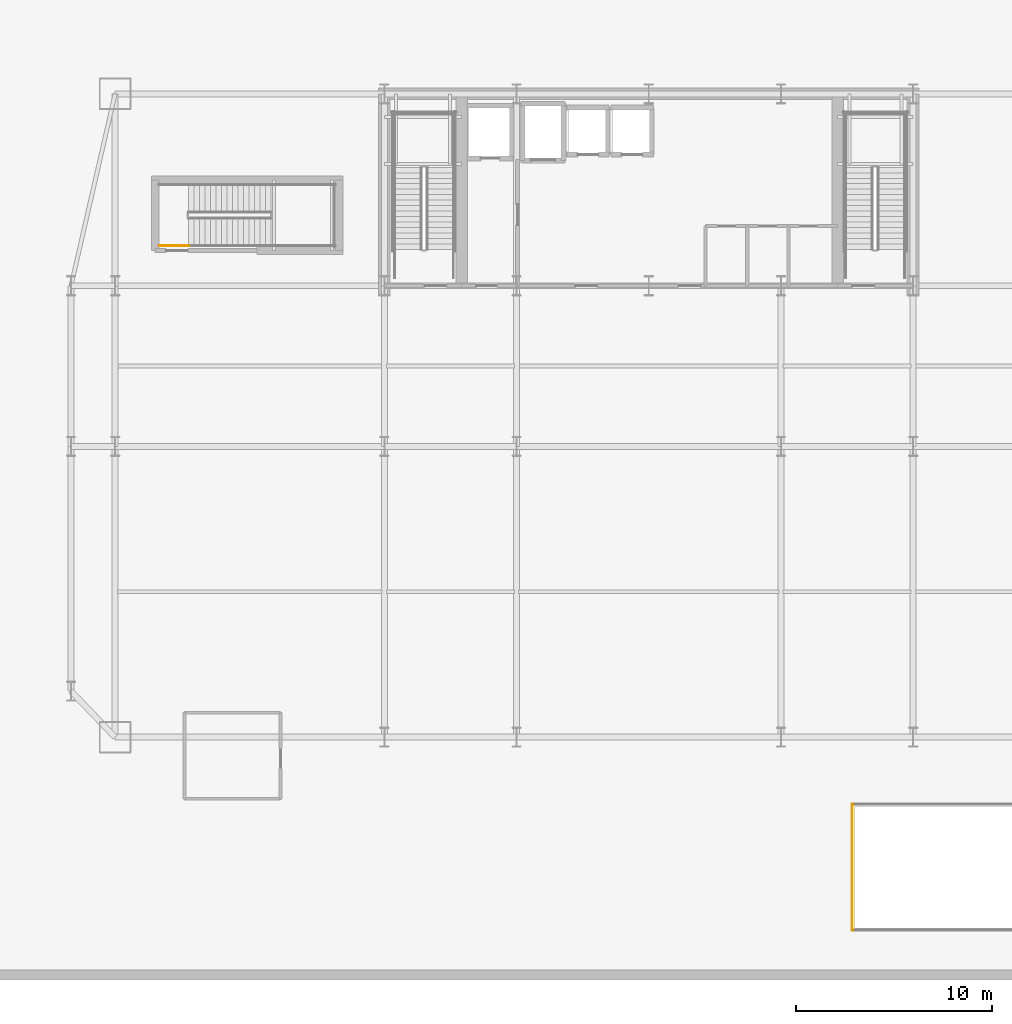
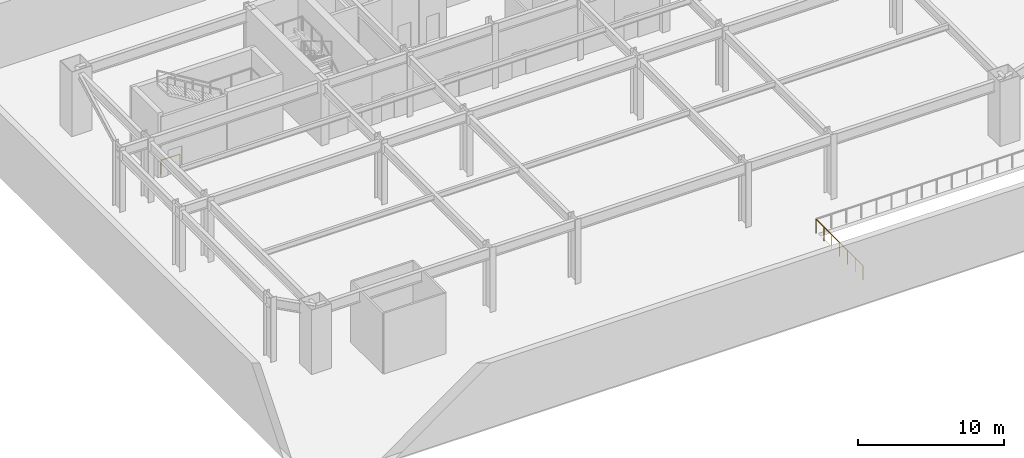
# One storey, part 12 of 16: 2 railings.
"""IFC4 building model written with IfcOpenShell, lengths in metres."""

from ifc_helpers import new_model, si_unit, direction, frame, origin, origin_2d, place, context, subcontext, project, spatial, rectangle, extrude, material, type_object, element, save


model = new_model("IFC4")

# Units and contexts
model_context = context("Model", 3, precision=1e-05, world=origin(), true_north=direction((0.0, 1.0)))
body_context = subcontext(model_context, "Body", "Model", "MODEL_VIEW")
ifc_project = project(units=[si_unit("LENGTHUNIT", "METRE"), si_unit("AREAUNIT", "SQUARE_METRE"), si_unit("VOLUMEUNIT", "CUBIC_METRE"), si_unit("PLANEANGLEUNIT", "RADIAN"), si_unit("MASSUNIT", "GRAM", prefix="KILO")], contexts=[model_context])

# Site, building, storey
site_placement = place(None, origin())
site = spatial("IfcSite", under=ifc_project, at=site_placement, CompositionType="ELEMENT")
building_placement = place(site_placement, origin())
building = spatial("IfcBuilding", under=site, at=building_placement, Name="Haevon Station Towers", CompositionType="ELEMENT")
storey_placement = place(building_placement, frame((0.0, 0.0, -5.39990234375)))
storey = spatial("IfcBuildingStorey", under=building, at=storey_placement, Name="B01", CompositionType="ELEMENT", Elevation=-5.39990234375)

# Railings
ifc_material = material(Name="Steel S355", Category="steel")
railing_type_1 = type_object("IfcRailingType", Name="BAL-ATR1200", PredefinedType="BALUSTRADE", material=ifc_material)
railing_1_placement = place(storey_placement, frame((47.8798828125, 5.280029296875, 0.0)))
element("IfcRailing", 1, at=railing_1_placement, inside=storey, type_object=railing_type_1, Name="B01 Vehicle Ramp West Guardrail", PredefinedType="BALUSTRADE", context=body_context, shape_type="SweptSolid", body=[
    extrude(rectangle(XDim=0.048095703125, YDim=0.048095703125, at=origin_2d()), frame((0.0, 0.0, 1.17578125), z_axis=(0.0, 1.0, 0.0), x_axis=(-1.0, 0.0, 0.0)), (0.0, 0.0, 1.0), 6.43994140625),
    extrude(rectangle(XDim=0.0419921875, YDim=0.0419921875, at=origin_2d()), origin(), (0.0, 0.0, 1.0), 1.15185546875),
    extrude(rectangle(XDim=0.0419921875, YDim=0.0419921875, at=origin_2d()), frame((0.0, 1.0732421875, 0.0)), (0.0, 0.0, 1.0), 1.15185546875),
    extrude(rectangle(XDim=0.0419921875, YDim=0.0419921875, at=origin_2d()), frame((0.0, 2.146728515625, 0.0)), (0.0, 0.0, 1.0), 1.15185546875),
    extrude(rectangle(XDim=0.0419921875, YDim=0.0419921875, at=origin_2d()), frame((0.0, 3.219970703125, 0.0)), (0.0, 0.0, 1.0), 1.15185546875),
    extrude(rectangle(XDim=0.0419921875, YDim=0.0419921875, at=origin_2d()), frame((0.0, 4.293212890625, 0.0)), (0.0, 0.0, 1.0), 1.15185546875),
    extrude(rectangle(XDim=0.0419921875, YDim=0.0419921875, at=origin_2d()), frame((0.0, 5.36669921875, 0.0)), (0.0, 0.0, 1.0), 1.15185546875),
    extrude(rectangle(XDim=0.0419921875, YDim=0.0419921875, at=origin_2d()), frame((0.0, 6.43994140625, 0.0)), (0.0, 0.0, 1.0), 1.15185546875),
])
railing_type_2 = type_object("IfcRailingType", Name="GRD-STR1200", PredefinedType="GUARDRAIL", material=ifc_material)
railing_2_placement = place(storey_placement, frame((12.5, 40.25, 0.0)))
element("IfcRailing", 2, at=railing_2_placement, inside=storey, type_object=railing_type_2, Name="B01 ST5 Stair Guard 8", PredefinedType="GUARDRAIL", context=body_context, shape_type="SweptSolid", body=[
    extrude(rectangle(XDim=0.048095703125, YDim=0.048095703125, at=origin_2d()), frame((0.0, 0.0, 1.17578125), z_axis=(1.0, 0.0, 0.0), x_axis=(0.0, 1.0, 0.0)), (0.0, 0.0, 1.0), 1.5),
    extrude(rectangle(XDim=0.0419921875, YDim=0.0419921875, at=origin_2d()), origin(), (0.0, 0.0, 1.0), 1.15185546875),
    extrude(rectangle(XDim=0.0419921875, YDim=0.0419921875, at=origin_2d()), frame((1.5, 0.0, 0.0)), (0.0, 0.0, 1.0), 1.15185546875),
])

save(model, "model.ifc")
